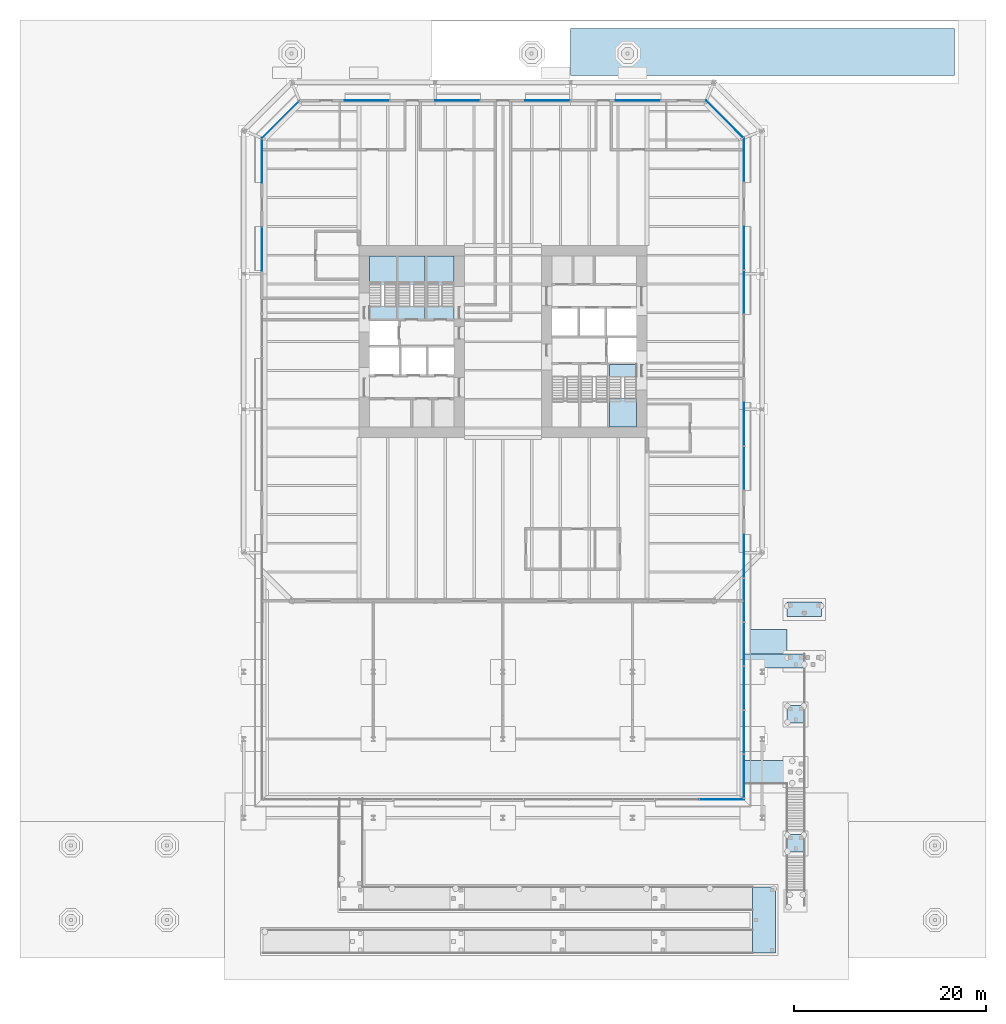
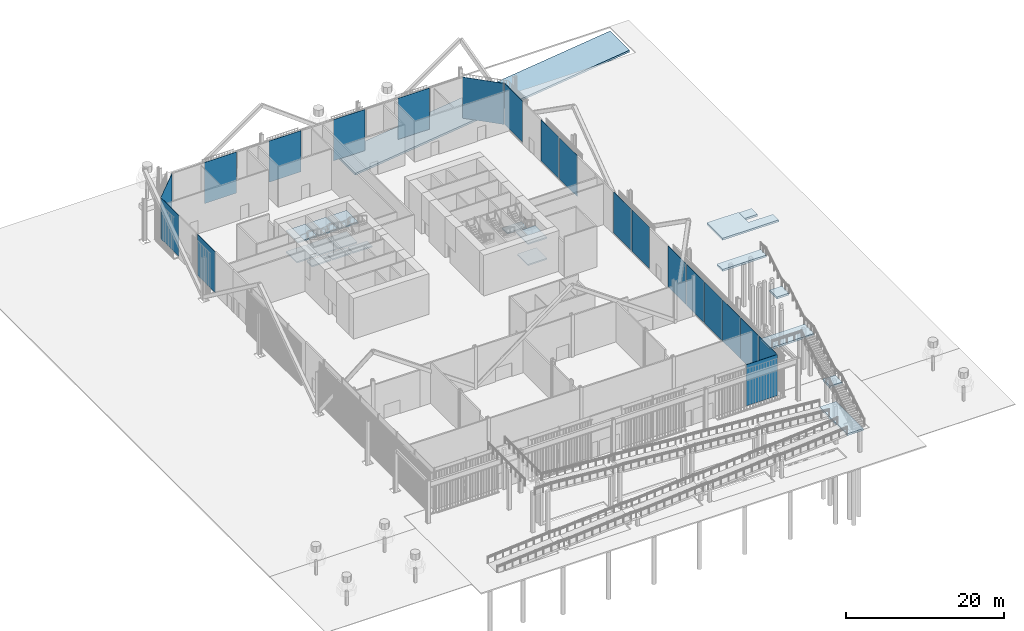
# One storey, part 13 of 28: 20 plates, 20 slabs, 10 elements without a shape of their own.
"""IFC4 building model written with IfcOpenShell, lengths in metres."""

from ifc_helpers import new_model, si_unit, direction, frame, origin, place, context, subcontext, project, spatial, polyline, outline, extrude, material, layer, layer_set, type_object, element, aggregate, save


model = new_model("IFC4")

# Units and contexts
model_context = context("Model", 3, precision=1e-05, world=origin(), true_north=direction((0.0, 1.0)))
body_context = subcontext(model_context, "Body", "Model", "MODEL_VIEW")
ifc_project = project(units=[si_unit("LENGTHUNIT", "METRE"), si_unit("AREAUNIT", "SQUARE_METRE"), si_unit("VOLUMEUNIT", "CUBIC_METRE"), si_unit("PLANEANGLEUNIT", "RADIAN"), si_unit("MASSUNIT", "GRAM", prefix="KILO")], contexts=[model_context])

# Site, building, storey
site_placement = place(None, origin())
site = spatial("IfcSite", under=ifc_project, at=site_placement, CompositionType="ELEMENT")
building_placement = place(site_placement, origin())
building = spatial("IfcBuilding", under=site, at=building_placement, Name="Millrace Tower", CompositionType="ELEMENT")
storey_placement = place(building_placement, origin())
storey = spatial("IfcBuildingStorey", under=building, at=storey_placement, Name="L01", CompositionType="ELEMENT", Elevation=0.0)

# Curtain wall, plate
ifc_material_1 = material(Name="Aluminium and glass", Category="aluminium")
ifc_layer_1 = layer(ifc_material_1, 0.199951171875)
ifc_layer_set_1 = layer_set([ifc_layer_1], Name="Aluminium and glass")
curtain_wall_type = type_object("IfcCurtainWallType", Name="CW-6 lobby and cascade wing storefront", PredefinedType="NOTDEFINED", material=ifc_layer_set_1)
placement_1 = place(storey_placement, origin())
curtain_wall_1 = element("IfcCurtainWall", 1, at=placement_1, inside=storey, type_object=curtain_wall_type, Name="Curtain wall AW1-F01 L01", PredefinedType="NOTDEFINED")
ifc_material_2 = material(Name="Glass", Category="glass")
ifc_layer_2 = layer(ifc_material_2, 0.035888671875)
ifc_layer_set_2 = layer_set([ifc_layer_2], Name="Glass")
plate_type = type_object("IfcPlateType", Name="CW-6 lobby and cascade wing storefront laminated glazed storefront panel", PredefinedType="CURTAIN_PANEL", material=ifc_layer_set_2)
placement_2 = place(storey_placement, frame((0.0, 0.0, 0.14990234375)))
plate_1 = element("IfcPlate", 2, at=placement_2, type_object=plate_type, Name="CW6 panel AW1-F01.11", PredefinedType="CURTAIN_PANEL", context=body_context, shape_type="SweptSolid", body=[
    extrude(outline(polyline([(20.529541015625, -47.718017578125), (25.117919921875, -47.718017578125), (25.08203125, -47.681884765625), (20.529541015625, -47.681884765625), (20.529541015625, -47.718017578125)])), origin(), (0.0, 0.0, 1.0), 6.35009765625),
])
aggregate(curtain_wall_1, [plate_1])

# Curtain wall, plates
curtain_wall_2 = element("IfcCurtainWall", 3, at=placement_1, inside=storey, type_object=curtain_wall_type, Name="Curtain wall AW1-F02 L01", PredefinedType="NOTDEFINED")
plate_2 = element("IfcPlate", 4, at=placement_2, type_object=plate_type, Name="CW6 panel AW1-F02.1", PredefinedType="CURTAIN_PANEL", context=body_context, shape_type="SweptSolid", body=[
    extrude(outline(polyline([(25.117919921875, -47.52490234375), (25.117919921875, -43.0166015625), (25.08203125, -43.0166015625), (25.08203125, -47.52490234375), (25.117919921875, -47.52490234375)])), origin(), (0.0, 0.0, 1.0), 6.35009765625),
])
plate_3 = element("IfcPlate", 5, at=placement_2, type_object=plate_type, Name="CW6 panel AW1-F02.2", PredefinedType="CURTAIN_PANEL", context=body_context, shape_type="SweptSolid", body=[
    extrude(outline(polyline([(25.117919921875, -42.941650390625), (25.117919921875, -38.433349609375), (25.08203125, -38.433349609375), (25.08203125, -42.941650390625), (25.117919921875, -42.941650390625)])), origin(), (0.0, 0.0, 1.0), 6.35009765625),
])
plate_4 = element("IfcPlate", 6, at=placement_2, type_object=plate_type, Name="CW6 panel AW1-F02.3", PredefinedType="CURTAIN_PANEL", context=body_context, shape_type="SweptSolid", body=[
    extrude(outline(polyline([(25.117919921875, -38.3583984375), (25.117919921875, -33.85009765625), (25.08203125, -33.85009765625), (25.08203125, -38.3583984375), (25.117919921875, -38.3583984375)])), origin(), (0.0, 0.0, 1.0), 6.35009765625),
])
plate_5 = element("IfcPlate", 7, at=placement_2, type_object=plate_type, Name="CW6 panel AW1-F02.4", PredefinedType="CURTAIN_PANEL", context=body_context, shape_type="SweptSolid", body=[
    extrude(outline(polyline([(25.117919921875, -33.77490234375), (25.117919921875, -29.2666015625), (25.08203125, -29.2666015625), (25.08203125, -33.77490234375), (25.117919921875, -33.77490234375)])), origin(), (0.0, 0.0, 1.0), 6.35009765625),
])
plate_6 = element("IfcPlate", 8, at=placement_2, type_object=plate_type, Name="CW6 panel AW1-F02.5", PredefinedType="CURTAIN_PANEL", context=body_context, shape_type="SweptSolid", body=[
    extrude(outline(polyline([(25.117919921875, -29.191650390625), (25.117919921875, -24.683349609375), (25.08203125, -24.683349609375), (25.08203125, -29.191650390625), (25.117919921875, -29.191650390625)])), origin(), (0.0, 0.0, 1.0), 6.35009765625),
])
plate_7 = element("IfcPlate", 9, at=placement_2, type_object=plate_type, Name="CW6 panel AW1-F02.6", PredefinedType="CURTAIN_PANEL", context=body_context, shape_type="SweptSolid", body=[
    extrude(outline(polyline([(25.117919921875, -24.6083984375), (25.117919921875, -20.10009765625), (25.08203125, -20.10009765625), (25.08203125, -24.6083984375), (25.117919921875, -24.6083984375)])), origin(), (0.0, 0.0, 1.0), 6.35009765625),
])
plate_8 = element("IfcPlate", 10, at=placement_2, type_object=plate_type, Name="CW6 panel AW1-F02.8", PredefinedType="CURTAIN_PANEL", context=body_context, shape_type="SweptSolid", body=[
    extrude(outline(polyline([(25.117919921875, -15.441650390625), (25.117919921875, -10.933349609375), (25.08203125, -10.933349609375), (25.08203125, -15.441650390625), (25.117919921875, -15.441650390625)])), origin(), (0.0, 0.0, 1.0), 6.35009765625),
])
plate_9 = element("IfcPlate", 11, at=placement_2, type_object=plate_type, Name="CW6 panel AW1-F02.9", PredefinedType="CURTAIN_PANEL", context=body_context, shape_type="SweptSolid", body=[
    extrude(outline(polyline([(25.117919921875, -10.8583984375), (25.117919921875, -6.35009765625), (25.08203125, -6.35009765625), (25.08203125, -10.8583984375), (25.117919921875, -10.8583984375)])), origin(), (0.0, 0.0, 1.0), 6.35009765625),
])
plate_10 = element("IfcPlate", 12, at=placement_2, type_object=plate_type, Name="CW6 panel AW1-F02.12", PredefinedType="CURTAIN_PANEL", context=body_context, shape_type="SweptSolid", body=[
    extrude(outline(polyline([(25.117919921875, 2.8916015625), (25.117919921875, 7.39990234375), (25.08203125, 7.39990234375), (25.08203125, 2.8916015625), (25.117919921875, 2.8916015625)])), origin(), (0.0, 0.0, 1.0), 6.35009765625),
])
plate_11 = element("IfcPlate", 13, at=placement_2, type_object=plate_type, Name="CW6 panel AW1-F02.13", PredefinedType="CURTAIN_PANEL", context=body_context, shape_type="SweptSolid", body=[
    extrude(outline(polyline([(25.117919921875, 7.47509765625), (25.117919921875, 11.9833984375), (25.08203125, 11.9833984375), (25.08203125, 7.47509765625), (25.117919921875, 7.47509765625)])), origin(), (0.0, 0.0, 1.0), 6.35009765625),
])
plate_12 = element("IfcPlate", 14, at=placement_2, type_object=plate_type, Name="CW6 panel AW1-F02.15", PredefinedType="CURTAIN_PANEL", context=body_context, shape_type="SweptSolid", body=[
    extrude(outline(polyline([(25.117919921875, 16.6416015625), (25.117919921875, 21.198974609375), (25.08203125, 21.18408203125), (25.08203125, 16.6416015625), (25.117919921875, 16.6416015625)])), origin(), (0.0, 0.0, 1.0), 6.35009765625),
])
aggregate(curtain_wall_2, [plate_2, plate_3, plate_4, plate_5, plate_6, plate_7, plate_8, plate_9, plate_10, plate_11, plate_12])

# Curtain wall, plate
curtain_wall_3 = element("IfcCurtainWall", 15, at=placement_1, inside=storey, type_object=curtain_wall_type, Name="Curtain wall AW1-F03 L01", PredefinedType="NOTDEFINED")
plate_13 = element("IfcPlate", 16, at=placement_2, type_object=plate_type, Name="CW6 panel AW1-F03.1", PredefinedType="CURTAIN_PANEL", context=body_context, shape_type="SweptSolid", body=[
    extrude(outline(polyline([(25.030517578125, 21.286376953125), (21.198974609375, 25.117919921875), (21.18408203125, 25.08203125), (25.0048828125, 21.260986328125), (25.030517578125, 21.286376953125)])), origin(), (0.0, 0.0, 1.0), 6.35009765625),
])
aggregate(curtain_wall_3, [plate_13])

# Curtain wall, plates
curtain_wall_4 = element("IfcCurtainWall", 17, at=placement_1, inside=storey, type_object=curtain_wall_type, Name="Curtain wall AW1-F04 L01", PredefinedType="NOTDEFINED")
plate_14 = element("IfcPlate", 18, at=placement_2, type_object=plate_type, Name="CW6 panel AW1-F04.2", PredefinedType="CURTAIN_PANEL", context=body_context, shape_type="SweptSolid", body=[
    extrude(outline(polyline([(16.375, 25.117919921875), (11.75, 25.117919921875), (11.75, 25.08203125), (16.375, 25.08203125), (16.375, 25.117919921875)])), origin(), (0.0, 0.0, 1.0), 6.35009765625),
])
plate_15 = element("IfcPlate", 19, at=placement_2, type_object=plate_type, Name="CW6 panel AW1-F04.4", PredefinedType="CURTAIN_PANEL", context=body_context, shape_type="SweptSolid", body=[
    extrude(outline(polyline([(6.97509765625, 25.117919921875), (2.35009765625, 25.117919921875), (2.35009765625, 25.08203125), (6.97509765625, 25.08203125), (6.97509765625, 25.117919921875)])), origin(), (0.0, 0.0, 1.0), 6.35009765625),
])
plate_16 = element("IfcPlate", 20, at=placement_2, type_object=plate_type, Name="CW6 panel AW1-F04.6", PredefinedType="CURTAIN_PANEL", context=body_context, shape_type="SweptSolid", body=[
    extrude(outline(polyline([(-2.425048828125, 25.117919921875), (-7.050048828125, 25.117919921875), (-7.050048828125, 25.08203125), (-2.425048828125, 25.08203125), (-2.425048828125, 25.117919921875)])), origin(), (0.0, 0.0, 1.0), 6.35009765625),
])
plate_17 = element("IfcPlate", 21, at=placement_2, type_object=plate_type, Name="CW6 panel AW1-F04.8", PredefinedType="CURTAIN_PANEL", context=body_context, shape_type="SweptSolid", body=[
    extrude(outline(polyline([(-11.824951171875, 25.117919921875), (-16.449951171875, 25.117919921875), (-16.449951171875, 25.08203125), (-11.824951171875, 25.08203125), (-11.824951171875, 25.117919921875)])), origin(), (0.0, 0.0, 1.0), 6.35009765625),
])
aggregate(curtain_wall_4, [plate_14, plate_15, plate_16, plate_17])

# Curtain wall, plate
curtain_wall_5 = element("IfcCurtainWall", 22, at=placement_1, inside=storey, type_object=curtain_wall_type, Name="Curtain wall AW1-F05 L01", PredefinedType="NOTDEFINED")
plate_18 = element("IfcPlate", 23, at=placement_2, type_object=plate_type, Name="CW6 panel AW1-F05.1", PredefinedType="CURTAIN_PANEL", context=body_context, shape_type="SweptSolid", body=[
    extrude(outline(polyline([(-21.286376953125, 25.030517578125), (-25.117919921875, 21.198974609375), (-25.08203125, 21.18408203125), (-21.260986328125, 25.0048828125), (-21.286376953125, 25.030517578125)])), origin(), (0.0, 0.0, 1.0), 6.35009765625),
])
aggregate(curtain_wall_5, [plate_18])

# Curtain wall, plates
curtain_wall_6 = element("IfcCurtainWall", 24, at=placement_1, inside=storey, type_object=curtain_wall_type, Name="Curtain wall AW1-F06 L01", PredefinedType="NOTDEFINED")
plate_19 = element("IfcPlate", 25, at=placement_2, type_object=plate_type, Name="CW6 panel AW1-F06.1", PredefinedType="CURTAIN_PANEL", context=body_context, shape_type="SweptSolid", body=[
    extrude(outline(polyline([(-25.117919921875, 21.074951171875), (-25.117919921875, 16.566650390625), (-25.08203125, 16.566650390625), (-25.08203125, 21.074951171875), (-25.117919921875, 21.074951171875)])), origin(), (0.0, 0.0, 1.0), 6.35009765625),
])
plate_20 = element("IfcPlate", 26, at=placement_2, type_object=plate_type, Name="CW6 panel AW1-F06.3", PredefinedType="CURTAIN_PANEL", context=body_context, shape_type="SweptSolid", body=[
    extrude(outline(polyline([(-25.117919921875, 11.908447265625), (-25.117919921875, 7.39990234375), (-25.08203125, 7.39990234375), (-25.08203125, 11.908447265625), (-25.117919921875, 11.908447265625)])), origin(), (0.0, 0.0, 1.0), 6.35009765625),
])
aggregate(curtain_wall_6, [plate_19, plate_20])

# Slabs
ifc_material_3 = material(Name="Concrete C40", Category="concrete")
ifc_layer_3 = layer(ifc_material_3, 0.300048828125)
ifc_layer_set_3 = layer_set([ifc_layer_3], Name="Concrete C40")
slab_type_1 = type_object("IfcSlabType", Name="Public stair landing slab", PredefinedType="LANDING", material=ifc_layer_set_3)
slab_1_placement = place(storey_placement, frame((0.0, 0.0, 3.029296875)))
element("IfcSlab", 27, at=slab_1_placement, inside=storey, type_object=slab_type_1, Name="Public stair landing slab RL-A-MID", PredefinedType="LANDING", context=body_context, shape_type="SweptSolid", body=[
    extrude(outline(polyline([(29.60009765625, -53.159912109375), (31.39990234375, -53.159912109375), (31.39990234375, -51.360107421875), (29.60009765625, -51.360107421875), (29.60009765625, -53.159912109375)])), origin(), (0.0, 0.0, 1.0), 0.300048828125),
])
slab_2_placement = place(storey_placement, frame((0.0, 0.0, 6.199951171875)))
element("IfcSlab", 28, at=slab_2_placement, inside=storey, type_object=slab_type_1, Name="Public stair landing slab RL-A-TOP", PredefinedType="LANDING", context=body_context, shape_type="SweptSolid", body=[
    extrude(outline(polyline([(25.0, -46.0400390625), (31.39990234375, -46.0400390625), (31.39990234375, -43.639892578125), (25.0, -43.639892578125), (25.0, -46.0400390625)])), origin(), (0.0, 0.0, 1.0), 0.300048828125),
])
slab_3_placement = place(storey_placement, frame((0.0, 0.0, 8.60009765625)))
element("IfcSlab", 29, at=slab_3_placement, inside=storey, type_object=slab_type_1, Name="Public stair landing slab RL-B-MID", PredefinedType="LANDING", context=body_context, shape_type="SweptSolid", body=[
    extrude(outline(polyline([(29.60009765625, -39.719970703125), (31.39990234375, -39.719970703125), (31.39990234375, -37.919921875), (29.60009765625, -37.919921875), (29.60009765625, -39.719970703125)])), origin(), (0.0, 0.0, 1.0), 0.2998046875),
])
slab_4_placement = place(storey_placement, frame((0.0, 0.0, 11.0)))
element("IfcSlab", 30, at=slab_4_placement, inside=storey, type_object=slab_type_1, Name="Public stair landing slab RL-B-TOP", PredefinedType="LANDING", context=body_context, shape_type="SweptSolid", body=[
    extrude(outline(polyline([(25.0, -34.0), (31.39990234375, -34.0), (31.39990234375, -32.56005859375), (25.0, -32.56005859375), (25.0, -34.0)])), origin(), (0.0, 0.0, 1.0), 0.300048828125),
])
slab_5_placement = place(storey_placement, frame((0.0, 0.0, 13.39990234375)))
element("IfcSlab", 31, at=slab_5_placement, inside=storey, type_object=slab_type_1, Name="Public stair landing slab RL-C-MID", PredefinedType="LANDING", context=body_context, shape_type="SweptSolid", body=[
    extrude(outline(polyline([(29.60009765625, -28.639892578125), (33.199951171875, -28.639892578125), (33.199951171875, -27.139892578125), (29.60009765625, -27.139892578125), (29.60009765625, -28.639892578125)])), origin(), (0.0, 0.0, 1.0), 0.300048828125),
])
slab_6_placement = place(storey_placement, frame((0.0, 0.0, 15.800048828125)))
element("IfcSlab", 32, at=slab_6_placement, inside=storey, type_object=slab_type_1, Name="Public stair landing slab RL-C-TOP", PredefinedType="LANDING", context=body_context, shape_type="SweptSolid", body=[
    extrude(outline(polyline([(25.0, -34.0), (33.199951171875, -34.0), (33.199951171875, -32.56005859375), (29.60009765625, -32.56005859375), (29.60009765625, -30.0), (25.0, -30.0), (25.0, -34.0)])), origin(), (0.0, 0.0, 1.0), 0.300048828125),
])
ifc_material_4 = material(Name="Concrete C40", Category="concrete")
ifc_layer_4 = layer(ifc_material_4, 0.300048828125)
ifc_layer_set_4 = layer_set([ifc_layer_4], Name="Concrete C40")
slab_type_2 = type_object("IfcSlabType", Name="Ramp landing slab", PredefinedType="LANDING", material=ifc_layer_set_4)
slab_7_placement = place(storey_placement, frame((0.0, 0.0, 3.31103515625)))
element("IfcSlab", 33, at=slab_7_placement, inside=storey, type_object=slab_type_2, Name="Ramp turn landing slab", PredefinedType="LANDING", context=body_context, shape_type="SweptSolid", body=[
    extrude(outline(polyline([(26.0, -63.699951171875), (28.39990234375, -63.699951171875), (28.39990234375, -56.800048828125), (26.0, -56.800048828125), (26.0, -63.699951171875)])), origin(), (0.0, 0.0, 1.0), 0.300048828125),
])
ifc_material_5 = material(Name="Concrete C40", Category="concrete")
ifc_layer_5 = layer(ifc_material_5, 0.300048828125)
ifc_layer_set_5 = layer_set([ifc_layer_5], Name="Concrete C40")
slab_type_3 = type_object("IfcSlabType", Name="Service vehicle ramp floor slab 300 mm", PredefinedType="FLOOR", material=ifc_layer_set_5)
slab_8_placement = place(storey_placement, frame((7.050048828125, 30.14990234375, -5.300048828125), z_axis=(0.0, 0.0, 1.0), x_axis=(1.0, 0.0, 0.0)))
element("IfcSlab", 34, at=slab_8_placement, inside=storey, type_object=slab_type_3, Name="Service vehicle ramp slab RF-SERVICE", PredefinedType="FLOOR", context=body_context, shape_type="SweptSolid", body=[
    extrude(outline(polyline([(0.0, 0.0), (40.0, 5.0), (40.0, 5.300048828125), (0.0, 0.300048828125), (0.0, 0.0)])), frame((0.0, 2.449951171875, 0.0), z_axis=(0.0, -1.0, 0.0), x_axis=(1.0, 0.0, 0.0)), (0.0, 0.0, 1.0), 4.89990234375),
])

# Stair, slabs
ifc_material_6 = material(Name="Concrete C35", Category="concrete")
stair_type = type_object("IfcStairType", Name="Exit stair", PredefinedType="HALF_TURN_STAIR", material=ifc_material_6)
stair_1 = element("IfcStair", 35, at=placement_1, inside=storey, type_object=stair_type, Name="Stair 1 W L01", PredefinedType="HALF_TURN_STAIR")
ifc_material_7 = material(Name="Concrete C40", Category="concrete")
ifc_layer_6 = layer(ifc_material_7, 0.199951171875)
ifc_layer_set_6 = layer_set([ifc_layer_6], Name="Concrete C40")
slab_type_4 = type_object("IfcSlabType", Name="Stair landing", PredefinedType="LANDING", material=ifc_layer_set_6)
placement_3 = place(storey_placement, frame((0.0, 0.0, 1.510498046875)))
slab_9 = element("IfcSlab", 36, at=placement_3, type_object=slab_type_4, Name="ST12 landing 1", PredefinedType="LANDING", context=body_context, shape_type="SweptSolid", body=[
    extrude(outline(polyline([(-13.89990234375, 6.199951171875), (-11.10009765625, 6.199951171875), (-11.10009765625, 8.89990234375), (-13.89990234375, 8.89990234375), (-13.89990234375, 6.199951171875)])), origin(), (0.0, 0.0, 1.0), 0.199951171875),
])
placement_4 = place(storey_placement, frame((0.0, 0.0, 3.22119140625)))
slab_10 = element("IfcSlab", 37, at=placement_4, type_object=slab_type_4, Name="ST12 landing 2", PredefinedType="LANDING", context=body_context, shape_type="SweptSolid", body=[
    extrude(outline(polyline([(-13.89990234375, 2.3798828125), (-11.10009765625, 2.3798828125), (-11.10009765625, 3.679931640625), (-13.89990234375, 3.679931640625), (-13.89990234375, 2.3798828125)])), origin(), (0.0, 0.0, 1.0), 0.199951171875),
])
placement_5 = place(storey_placement, frame((0.0, 0.0, 4.760498046875)))
slab_11 = element("IfcSlab", 38, at=placement_5, type_object=slab_type_4, Name="ST12 landing 3", PredefinedType="LANDING", context=body_context, shape_type="SweptSolid", body=[
    extrude(outline(polyline([(-13.89990234375, 5.919921875), (-11.10009765625, 5.919921875), (-11.10009765625, 8.89990234375), (-13.89990234375, 8.89990234375), (-13.89990234375, 5.919921875)])), origin(), (0.0, 0.0, 1.0), 0.199951171875),
])
aggregate(stair_1, [slab_9, slab_10, slab_11])

stair_2 = element("IfcStair", 39, at=placement_1, inside=storey, type_object=stair_type, Name="Stair 2 W L01", PredefinedType="HALF_TURN_STAIR")
slab_12 = element("IfcSlab", 40, at=placement_3, type_object=slab_type_4, Name="ST12 landing 1", PredefinedType="LANDING", context=body_context, shape_type="SweptSolid", body=[
    extrude(outline(polyline([(-10.89990234375, 6.199951171875), (-8.10009765625, 6.199951171875), (-8.10009765625, 8.89990234375), (-10.89990234375, 8.89990234375), (-10.89990234375, 6.199951171875)])), origin(), (0.0, 0.0, 1.0), 0.199951171875),
])
slab_13 = element("IfcSlab", 41, at=placement_4, type_object=slab_type_4, Name="ST12 landing 2", PredefinedType="LANDING", context=body_context, shape_type="SweptSolid", body=[
    extrude(outline(polyline([(-10.89990234375, 2.3798828125), (-8.10009765625, 2.3798828125), (-8.10009765625, 3.679931640625), (-10.89990234375, 3.679931640625), (-10.89990234375, 2.3798828125)])), origin(), (0.0, 0.0, 1.0), 0.199951171875),
])
slab_14 = element("IfcSlab", 42, at=placement_5, type_object=slab_type_4, Name="ST12 landing 3", PredefinedType="LANDING", context=body_context, shape_type="SweptSolid", body=[
    extrude(outline(polyline([(-10.89990234375, 5.919921875), (-8.10009765625, 5.919921875), (-8.10009765625, 8.89990234375), (-10.89990234375, 8.89990234375), (-10.89990234375, 5.919921875)])), origin(), (0.0, 0.0, 1.0), 0.199951171875),
])
aggregate(stair_2, [slab_12, slab_13, slab_14])

stair_3 = element("IfcStair", 43, at=placement_1, inside=storey, type_object=stair_type, Name="Stair 3 W L01", PredefinedType="HALF_TURN_STAIR")
slab_15 = element("IfcSlab", 44, at=placement_3, type_object=slab_type_4, Name="ST12 landing 1", PredefinedType="LANDING", context=body_context, shape_type="SweptSolid", body=[
    extrude(outline(polyline([(-7.89990234375, 6.199951171875), (-5.10009765625, 6.199951171875), (-5.10009765625, 8.89990234375), (-7.89990234375, 8.89990234375), (-7.89990234375, 6.199951171875)])), origin(), (0.0, 0.0, 1.0), 0.199951171875),
])
slab_16 = element("IfcSlab", 45, at=placement_4, type_object=slab_type_4, Name="ST12 landing 2", PredefinedType="LANDING", context=body_context, shape_type="SweptSolid", body=[
    extrude(outline(polyline([(-7.89990234375, 2.3798828125), (-5.10009765625, 2.3798828125), (-5.10009765625, 3.679931640625), (-7.89990234375, 3.679931640625), (-7.89990234375, 2.3798828125)])), origin(), (0.0, 0.0, 1.0), 0.199951171875),
])
slab_17 = element("IfcSlab", 46, at=placement_5, type_object=slab_type_4, Name="ST12 landing 3", PredefinedType="LANDING", context=body_context, shape_type="SweptSolid", body=[
    extrude(outline(polyline([(-7.89990234375, 5.919921875), (-5.10009765625, 5.919921875), (-5.10009765625, 8.89990234375), (-7.89990234375, 8.89990234375), (-7.89990234375, 5.919921875)])), origin(), (0.0, 0.0, 1.0), 0.199951171875),
])
aggregate(stair_3, [slab_15, slab_16, slab_17])

stair_4 = element("IfcStair", 47, at=placement_1, inside=storey, type_object=stair_type, Name="Stair 1 E L01", PredefinedType="HALF_TURN_STAIR")
slab_18 = element("IfcSlab", 48, at=placement_3, type_object=slab_type_4, Name="ST12 landing 1", PredefinedType="LANDING", context=body_context, shape_type="SweptSolid", body=[
    extrude(outline(polyline([(11.10009765625, -8.89990234375), (13.89990234375, -8.89990234375), (13.89990234375, -6.199951171875), (11.10009765625, -6.199951171875), (11.10009765625, -8.89990234375)])), origin(), (0.0, 0.0, 1.0), 0.199951171875),
])
slab_19 = element("IfcSlab", 49, at=placement_4, type_object=slab_type_4, Name="ST12 landing 2", PredefinedType="LANDING", context=body_context, shape_type="SweptSolid", body=[
    extrude(outline(polyline([(11.10009765625, -3.679931640625), (13.89990234375, -3.679931640625), (13.89990234375, -2.3798828125), (11.10009765625, -2.3798828125), (11.10009765625, -3.679931640625)])), origin(), (0.0, 0.0, 1.0), 0.199951171875),
])
slab_20 = element("IfcSlab", 50, at=placement_5, type_object=slab_type_4, Name="ST12 landing 3", PredefinedType="LANDING", context=body_context, shape_type="SweptSolid", body=[
    extrude(outline(polyline([(11.10009765625, -8.89990234375), (13.89990234375, -8.89990234375), (13.89990234375, -5.919921875), (11.10009765625, -5.919921875), (11.10009765625, -8.89990234375)])), origin(), (0.0, 0.0, 1.0), 0.199951171875),
])
aggregate(stair_4, [slab_18, slab_19, slab_20])

save(model, "model.ifc")
